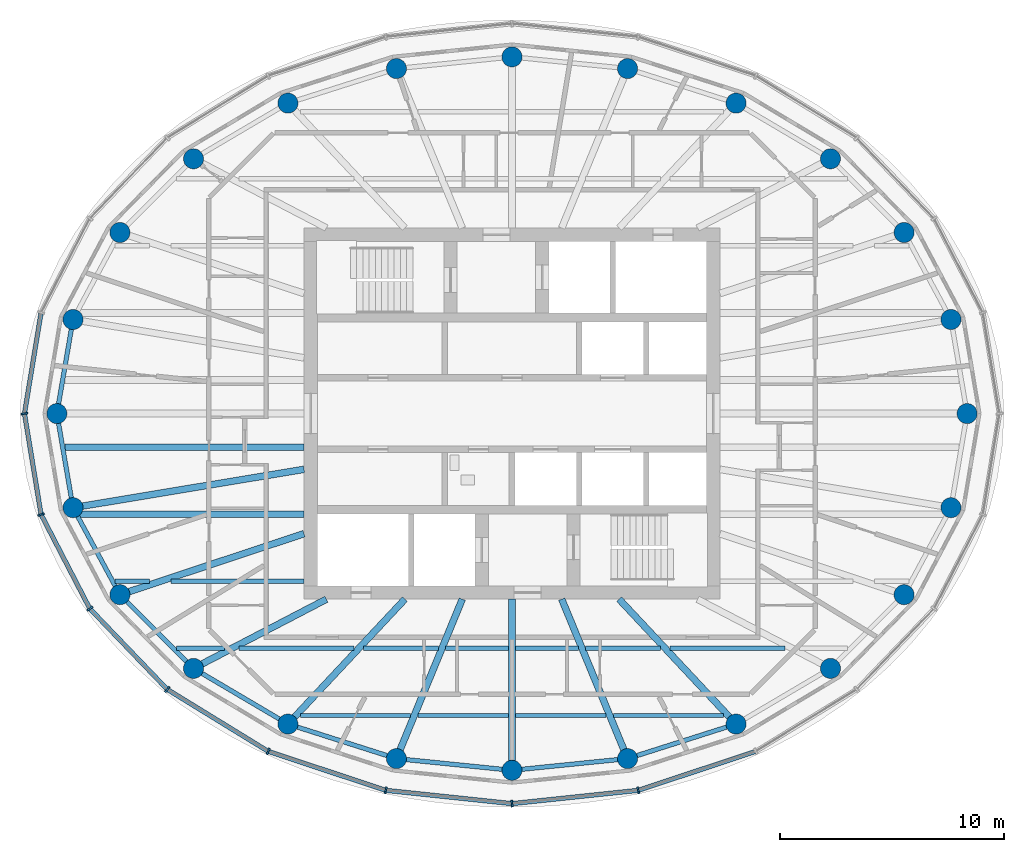
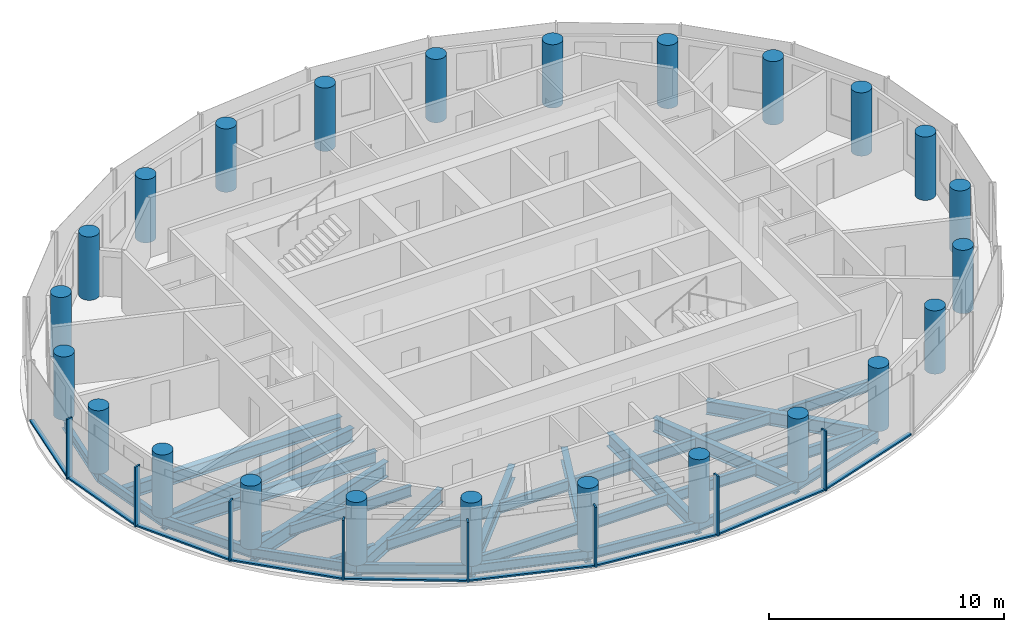
# One storey, part 1 of 12: 32 beams, 24 columns, 17 members, 3 elements without a shape of their own.
"""IFC4 building model written with IfcOpenShell, lengths in metres."""

from ifc_helpers import new_model, si_unit, direction, frame, origin, origin_2d, place, context, subcontext, project, spatial, rectangle, circle, i_section, extrude, material, material_profile, profile_set, type_object, element, aggregate, save


model = new_model("IFC4")

# Units and contexts
model_context = context("Model", 3, precision=1e-05, world=origin(), true_north=direction((0.0, 1.0)))
body_context = subcontext(model_context, "Body", "Model", "MODEL_VIEW")
ifc_project = project(units=[si_unit("LENGTHUNIT", "METRE"), si_unit("AREAUNIT", "SQUARE_METRE"), si_unit("VOLUMEUNIT", "CUBIC_METRE"), si_unit("PLANEANGLEUNIT", "RADIAN"), si_unit("MASSUNIT", "GRAM", prefix="KILO")], contexts=[model_context])

# Site, building, storey
site_placement = place(None, origin())
site = spatial("IfcSite", under=ifc_project, at=site_placement, CompositionType="ELEMENT")
building_placement = place(site_placement, origin())
building = spatial("IfcBuilding", under=site, at=building_placement, Name="Hankou Lantern Tower", CompositionType="ELEMENT")
storey_placement = place(building_placement, frame((0.0, 0.0, 219.300048828125)))
storey = spatial("IfcBuildingStorey", under=building, at=storey_placement, Name="L59", CompositionType="ELEMENT", Elevation=219.300048828125)

# Columns
ifc_material_1 = material(Name="Concrete C50", Category="concrete")
ifc_material_profile_1 = material_profile(ifc_material_1, circle(Radius=0.449951171875, at=origin_2d()), Name="RC D900")
ifc_profile_set_1 = profile_set([ifc_material_profile_1], Name="Concrete C50")
column_type = type_object("IfcColumnType", Name="TC5 PERIMETER COLUMN RC D900", PredefinedType="COLUMN", material=ifc_profile_set_1)
for number, where, z_axis, x_axis, name in (
    (1, (20.35009765625, 0.0, 0.0), (0.0, 0.0, 1.0), (1.0, 0.0, 0.0), "Column R01 L59"),
    (2, (19.629150390625, 4.207763671875, 0.0), (0.0, 0.0, 1.0), (1.0, 0.0, 0.0), "Column R02 L59"),
    (3, (17.5322265625, 8.097900390625, 0.0), (0.0, 0.0, 1.0), (1.0, 0.0, 0.0), "Column R03 L59"),
    (4, (14.241455078125, 11.393310546875, 0.0), (0.0, 0.0, 1.0), (1.0, 0.0, 0.0), "Column R04 L59"),
    (5, (10.01904296875, 13.8828125, 0.0), (0.0, 0.0, 1.0), (1.0, 0.0, 0.0), "Column R05 L59"),
    (6, (5.167236328125, 15.42724609375, 0.0), (0.0, 0.0, 1.0), (1.0, 0.0, 0.0), "Column R06 L59"),
    (7, (0.0, 15.949951171875, 0.0), (0.0, 0.0, 1.0), (1.0, 0.0, 0.0), "Column R07 L59"),
    (8, (-5.167236328125, 15.42724609375, 0.0), (0.0, 0.0, 1.0), (1.0, 0.0, 0.0), "Column R08 L59"),
    (9, (-10.01904296875, 13.8828125, 0.0), (0.0, 0.0, 1.0), (1.0, 0.0, 0.0), "Column R09 L59"),
    (10, (-14.241455078125, 11.393310546875, 0.0), (0.0, 0.0, 1.0), (1.0, 0.0, 0.0), "Column R10 L59"),
    (11, (-17.5322265625, 8.097900390625, 0.0), (0.0, 0.0, 1.0), (1.0, 0.0, 0.0), "Column R11 L59"),
    (12, (-19.629150390625, 4.207763671875, 0.0), (0.0, 0.0, 1.0), (1.0, 0.0, 0.0), "Column R12 L59"),
    (13, (-20.35009765625, 0.0, 0.0), (0.0, 0.0, 1.0), (1.0, 0.0, 0.0), "Column R13 L59"),
    (14, (-19.629150390625, -4.207763671875, 0.0), (0.0, 0.0, 1.0), (1.0, 0.0, 0.0), "Column R14 L59"),
    (15, (-17.5322265625, -8.097900390625, 0.0), (0.0, 0.0, 1.0), (1.0, 0.0, 0.0), "Column R15 L59"),
    (16, (-14.241455078125, -11.393310546875, 0.0), (0.0, 0.0, 1.0), (1.0, 0.0, 0.0), "Column R16 L59"),
    (17, (-10.01904296875, -13.8828125, 0.0), (0.0, 0.0, 1.0), (1.0, 0.0, 0.0), "Column R17 L59"),
    (18, (-5.167236328125, -15.42724609375, 0.0), (0.0, 0.0, 1.0), (1.0, 0.0, 0.0), "Column R18 L59"),
    (19, (0.0, -15.949951171875, 0.0), (0.0, 0.0, 1.0), (1.0, 0.0, 0.0), "Column R19 L59"),
    (20, (5.167236328125, -15.42724609375, 0.0), (0.0, 0.0, 1.0), (1.0, 0.0, 0.0), "Column R20 L59"),
    (21, (10.01904296875, -13.8828125, 0.0), (0.0, 0.0, 1.0), (1.0, 0.0, 0.0), "Column R21 L59"),
    (22, (14.241455078125, -11.393310546875, 0.0), (0.0, 0.0, 1.0), (1.0, 0.0, 0.0), "Column R22 L59"),
    (23, (17.5322265625, -8.097900390625, 0.0), (0.0, 0.0, 1.0), (1.0, 0.0, 0.0), "Column R23 L59"),
    (24, (19.629150390625, -4.207763671875, 0.0), (0.0, 0.0, 1.0), (1.0, 0.0, 0.0), "Column R24 L59"),
):
    element("IfcColumn", number, at=place(storey_placement, frame(where, z_axis=z_axis, x_axis=x_axis)), inside=storey, type_object=column_type, Name=name, PredefinedType="COLUMN", context=body_context, shape_type="SweptSolid", body=[
        extrude(circle(Radius=0.449951171875, at=origin_2d()), origin(), (0.0, 0.0, 1.0), 3.300048828125),
    ])

# Beams
ifc_material_2 = material(Name="Steel Q355B", Category="steel")
ifc_material_profile_2 = material_profile(ifc_material_2, i_section(OverallWidth=0.199951171875, OverallDepth=0.5, WebThickness=0.010009765625, FlangeThickness=0.01611328125, FilletRadius=0.012939453125, at=origin_2d()), Name="HN500x200x10x16")
ifc_profile_set_2 = profile_set([ifc_material_profile_2], Name="Steel Q355B")
beam_type_1 = type_object("IfcBeamType", Name="EB5 RING BEAM HN500x200x10x16", PredefinedType="SPANDREL", material=ifc_profile_set_2)
for number, where, z_axis, x_axis, name in (
    (25, (-19.629150390625, 4.207763671875, -0.429931640625), (-0.168876512999, -0.98563721691, 0.0), (0.98563721691, -0.168876512999, 0.0), "Ring beam R12-R13 L59"),
    (26, (-20.35009765625, 0.0, -0.429931640625), (0.168876512999, -0.98563721691, 0.0), (0.98563721691, 0.168876512999, 0.0), "Ring beam R13-R14 L59"),
):
    element("IfcBeam", number, at=place(storey_placement, frame(where, z_axis=z_axis, x_axis=x_axis)), inside=storey, type_object=beam_type_1, Name=name, PredefinedType="SPANDREL", context=body_context, shape_type="SweptSolid", body=[
        extrude(i_section(OverallWidth=0.199951171875, OverallDepth=0.5, WebThickness=0.010009765625, FlangeThickness=0.01611328125, FilletRadius=0.012939453125, at=origin_2d()), origin(), (0.0, 0.0, 1.0), 4.26904296875),
    ])
beam_1_placement = place(storey_placement, frame((-19.629150390625, -4.207763671875, -0.429931640625), z_axis=(0.474491806611, -0.880259919262, 0.0), x_axis=(0.880259919262, 0.474491806611, 0.0)))
element("IfcBeam", 27, at=beam_1_placement, inside=storey, type_object=beam_type_1, Name="Ring beam R14-R15 L59", PredefinedType="SPANDREL", context=body_context, shape_type="SweptSolid", body=[
    extrude(i_section(OverallWidth=0.199951171875, OverallDepth=0.5, WebThickness=0.010009765625, FlangeThickness=0.01611328125, FilletRadius=0.012939453125, at=origin_2d()), origin(), (0.0, 0.0, 1.0), 4.419189453125),
])
beam_2_placement = place(storey_placement, frame((-17.5322265625, -8.097900390625, -0.429931640625), z_axis=(0.706608588034, -0.707604623583, 0.0), x_axis=(0.707604623583, 0.706608588034, 0.0)))
element("IfcBeam", 28, at=beam_2_placement, inside=storey, type_object=beam_type_1, Name="Ring beam R15-R16 L59", PredefinedType="SPANDREL", context=body_context, shape_type="SweptSolid", body=[
    extrude(i_section(OverallWidth=0.199951171875, OverallDepth=0.5, WebThickness=0.010009765625, FlangeThickness=0.01611328125, FilletRadius=0.012939453125, at=origin_2d()), origin(), (0.0, 0.0, 1.0), 4.6572265625),
])
beam_3_placement = place(storey_placement, frame((-14.241455078125, -11.393310546875, -0.429931640625), z_axis=(0.861422897323, -0.507888365655, 0.0), x_axis=(0.507888365655, 0.861422897323, 0.0)))
element("IfcBeam", 29, at=beam_3_placement, inside=storey, type_object=beam_type_1, Name="Ring beam R16-R17 L59", PredefinedType="SPANDREL", context=body_context, shape_type="SweptSolid", body=[
    extrude(i_section(OverallWidth=0.199951171875, OverallDepth=0.5, WebThickness=0.010009765625, FlangeThickness=0.01611328125, FilletRadius=0.012939453125, at=origin_2d()), origin(), (0.0, 0.0, 1.0), 4.901611328125),
])
beam_4_placement = place(storey_placement, frame((-10.01904296875, -13.8828125, -0.429931640625), z_axis=(0.952887359315, -0.303324381574, 0.0), x_axis=(0.303324381574, 0.952887359315, 0.0)))
element("IfcBeam", 30, at=beam_4_placement, inside=storey, type_object=beam_type_1, Name="Ring beam R17-R18 L59", PredefinedType="SPANDREL", context=body_context, shape_type="SweptSolid", body=[
    extrude(i_section(OverallWidth=0.199951171875, OverallDepth=0.5, WebThickness=0.010009765625, FlangeThickness=0.01611328125, FilletRadius=0.012939453125, at=origin_2d()), origin(), (0.0, 0.0, 1.0), 5.091796875),
])
for number, where, z_axis, x_axis, name in (
    (31, (-5.167236328125, -15.42724609375, -0.429931640625), (0.994922507736, -0.100643944676, 0.0), (0.100643944676, 0.994922507736, 0.0), "Ring beam R18-R19 L59"),
    (32, (0.0, -15.949951171875, -0.429931640625), (0.994922507736, 0.100643944676, 0.0), (-0.100643944676, 0.994922507736, 0.0), "Ring beam R19-R20 L59"),
):
    element("IfcBeam", number, at=place(storey_placement, frame(where, z_axis=z_axis, x_axis=x_axis)), inside=storey, type_object=beam_type_1, Name=name, PredefinedType="SPANDREL", context=body_context, shape_type="SweptSolid", body=[
        extrude(i_section(OverallWidth=0.199951171875, OverallDepth=0.5, WebThickness=0.010009765625, FlangeThickness=0.01611328125, FilletRadius=0.012939453125, at=origin_2d()), origin(), (0.0, 0.0, 1.0), 5.193603515625),
    ])
beam_5_placement = place(storey_placement, frame((5.167236328125, -15.42724609375, -0.429931640625), z_axis=(0.952887359315, 0.303324381574, 0.0), x_axis=(-0.303324381574, 0.952887359315, 0.0)))
element("IfcBeam", 33, at=beam_5_placement, inside=storey, type_object=beam_type_1, Name="Ring beam R20-R21 L59", PredefinedType="SPANDREL", context=body_context, shape_type="SweptSolid", body=[
    extrude(i_section(OverallWidth=0.199951171875, OverallDepth=0.5, WebThickness=0.010009765625, FlangeThickness=0.01611328125, FilletRadius=0.012939453125, at=origin_2d()), origin(), (0.0, 0.0, 1.0), 5.091796875),
])

# Curtain wall, members
ifc_material_3 = material(Name="Glass, dark grey tinted laminated", Category="glass")
curtain_wall_type = type_object("IfcCurtainWallType", Name="CWD OUTER SKIN SUITE", PredefinedType="USERDEFINED", material=ifc_material_3)
curtain_wall_1_placement = place(storey_placement, origin())
curtain_wall_1 = element("IfcCurtainWall", 34, at=curtain_wall_1_placement, inside=storey, type_object=curtain_wall_type, Name="CWD L59 OS3", ObjectType="OUTER SKIN SUITE", PredefinedType="USERDEFINED")
ifc_material_4 = material(Name="Aluminium, black anodised", Category="aluminium")
ifc_material_profile_3 = material_profile(ifc_material_4, rectangle(XDim=0.080078125, YDim=0.300048828125, at=origin_2d()), Name="MU1 80X300")
ifc_profile_set_3 = profile_set([ifc_material_profile_3], Name="Aluminium, black anodised")
member_type_1 = type_object("IfcMemberType", Name="MU1 OUTER SKIN MULLION 80X300", PredefinedType="MULLION", material=ifc_profile_set_3)
member_1_placement = place(storey_placement, frame((-21.800048828125, 0.0, 0.0), z_axis=(0.0, 0.0, 1.0), x_axis=(0.162381515188, -0.986728049427, 0.0)))
member_1 = element("IfcMember", 35, at=member_1_placement, type_object=member_type_1, Name="CWD mullion 1", PredefinedType="MULLION", context=body_context, shape_type="SweptSolid", body=[
    extrude(rectangle(XDim=0.080078125, YDim=0.300048828125, at=origin_2d()), origin(), (0.0, 0.0, 1.0), 3.119873046875),
])
member_2_placement = place(storey_placement, frame((-21.05712890625, -4.513916015625, 0.0), z_axis=(0.0, 0.0, 1.0), x_axis=(0.317595577365, -0.94822626479, 0.0)))
member_2 = element("IfcMember", 36, at=member_2_placement, type_object=member_type_1, Name="CWD mullion 2", PredefinedType="MULLION", context=body_context, shape_type="SweptSolid", body=[
    extrude(rectangle(XDim=0.080078125, YDim=0.300048828125, at=origin_2d()), origin(), (0.0, 0.0, 1.0), 3.119873046875),
])
member_3_placement = place(storey_placement, frame((-18.87939453125, -8.719970703125, 0.0), z_axis=(0.0, 0.0, 1.0), x_axis=(0.585205735974, -0.810884854084, 0.0)))
member_3 = element("IfcMember", 37, at=member_3_placement, type_object=member_type_1, Name="CWD mullion 3", PredefinedType="MULLION", context=body_context, shape_type="SweptSolid", body=[
    extrude(rectangle(XDim=0.080078125, YDim=0.300048828125, at=origin_2d()), origin(), (0.0, 0.0, 1.0), 3.119873046875),
])
member_4_placement = place(storey_placement, frame((-15.4150390625, -12.33203125, 0.0), z_axis=(0.0, 0.0, 1.0), x_axis=(0.780868809444, -0.624695047553, 0.0)))
member_4 = element("IfcMember", 38, at=member_4_placement, type_object=member_type_1, Name="CWD mullion 4", PredefinedType="MULLION", context=body_context, shape_type="SweptSolid", body=[
    extrude(rectangle(XDim=0.080078125, YDim=0.300048828125, at=origin_2d()), origin(), (0.0, 0.0, 1.0), 3.119873046875),
])
member_5_placement = place(storey_placement, frame((-10.89990234375, -15.103515625, 0.0), z_axis=(0.0, 0.0, 1.0), x_axis=(0.907841299004, -0.419313934686, 0.0)))
member_5 = element("IfcMember", 39, at=member_5_placement, type_object=member_type_1, Name="CWD mullion 5", PredefinedType="MULLION", context=body_context, shape_type="SweptSolid", body=[
    extrude(rectangle(XDim=0.080078125, YDim=0.300048828125, at=origin_2d()), origin(), (0.0, 0.0, 1.0), 3.119873046875),
])
member_6_placement = place(storey_placement, frame((-5.642333984375, -16.845703125, 0.0), z_axis=(0.0, 0.0, 1.0), x_axis=(0.977787659625, -0.209597931016, 0.0)))
member_6 = element("IfcMember", 40, at=member_6_placement, type_object=member_type_1, Name="CWD mullion 6", PredefinedType="MULLION", context=body_context, shape_type="SweptSolid", body=[
    extrude(rectangle(XDim=0.080078125, YDim=0.300048828125, at=origin_2d()), origin(), (0.0, 0.0, 1.0), 3.119873046875),
])

curtain_wall_2_placement = place(storey_placement, origin())
curtain_wall_2 = element("IfcCurtainWall", 41, at=curtain_wall_2_placement, inside=storey, type_object=curtain_wall_type, Name="CWD L59 OS4", ObjectType="OUTER SKIN SUITE", PredefinedType="USERDEFINED")
member_7_placement = place(storey_placement, frame((0.0, -17.43994140625, 0.0), z_axis=(0.0, 0.0, 1.0), x_axis=(0.994499359107, 0.104742659579, 0.0)))
member_7 = element("IfcMember", 42, at=member_7_placement, type_object=member_type_1, Name="CWD mullion 1", PredefinedType="MULLION", context=body_context, shape_type="SweptSolid", body=[
    extrude(rectangle(XDim=0.080078125, YDim=0.300048828125, at=origin_2d()), origin(), (0.0, 0.0, 1.0), 3.119873046875),
])
member_8_placement = place(storey_placement, frame((5.642333984375, -16.845703125, 0.0), z_axis=(0.0, 0.0, 1.0), x_axis=(0.977787659625, 0.209597931016, 0.0)))
member_8 = element("IfcMember", 43, at=member_8_placement, type_object=member_type_1, Name="CWD mullion 2", PredefinedType="MULLION", context=body_context, shape_type="SweptSolid", body=[
    extrude(rectangle(XDim=0.080078125, YDim=0.300048828125, at=origin_2d()), origin(), (0.0, 0.0, 1.0), 3.119873046875),
])

# Beams
ifc_material_5 = material(Name="Steel Q355B", Category="steel")
ifc_material_profile_4 = material_profile(ifc_material_5, i_section(OverallWidth=0.300048828125, OverallDepth=0.800048828125, WebThickness=0.013916015625, FlangeThickness=0.02587890625, FilletRadius=0.01806640625, at=origin_2d()), Name="HN800x300x14x26")
ifc_profile_set_4 = profile_set([ifc_material_profile_4], Name="Steel Q355B")
beam_type_2 = type_object("IfcBeamType", Name="RB11 RADIAL BEAM HN800x300x14x26", PredefinedType="BEAM", material=ifc_profile_set_4)
beam_6_placement = place(storey_placement, frame((-9.300048828125, -5.369384765625, -0.580078125), z_axis=(-0.949219608576, -0.314614263337, 0.0), x_axis=(0.314614263337, -0.949219608576, 0.0)))
element("IfcBeam", 44, at=beam_6_placement, inside=storey, type_object=beam_type_2, Name="Radial beam R15 L59", PredefinedType="BEAM", context=body_context, shape_type="SweptSolid", body=[
    extrude(i_section(OverallWidth=0.300048828125, OverallDepth=0.800048828125, WebThickness=0.013916015625, FlangeThickness=0.02587890625, FilletRadius=0.01806640625, at=origin_2d()), origin(), (0.0, 0.0, 1.0), 8.672607421875),
])
ifc_material_6 = material(Name="Steel Q355B", Category="steel")
ifc_material_profile_5 = material_profile(ifc_material_6, i_section(OverallWidth=0.300048828125, OverallDepth=0.699951171875, WebThickness=0.012939453125, FlangeThickness=0.02392578125, FilletRadius=0.01806640625, at=origin_2d()), Name="HN700x300x13x24")
ifc_profile_set_5 = profile_set([ifc_material_profile_5], Name="Steel Q355B")
beam_type_3 = type_object("IfcBeamType", Name="RB9 RADIAL BEAM HN700x300x13x24", PredefinedType="BEAM", material=ifc_profile_set_5)
beam_7_placement = place(storey_placement, frame((-9.300048828125, -2.491943359375, -0.530029296875), z_axis=(-0.986482007061, -0.163869612027, 0.0), x_axis=(0.163869612027, -0.986482007061, 0.0)))
element("IfcBeam", 45, at=beam_7_placement, inside=storey, type_object=beam_type_3, Name="Radial beam R14 L59", PredefinedType="BEAM", context=body_context, shape_type="SweptSolid", body=[
    extrude(i_section(OverallWidth=0.300048828125, OverallDepth=0.699951171875, WebThickness=0.012939453125, FlangeThickness=0.02392578125, FilletRadius=0.01806640625, at=origin_2d()), origin(), (0.0, 0.0, 1.0), 10.470703125),
])
beam_8_placement = place(storey_placement, frame((-8.300048828125, -8.300048828125, -0.530029296875), z_axis=(-0.886988734783, -0.461791061378, 0.0), x_axis=(0.461791061378, -0.886988734783, 0.0)))
element("IfcBeam", 46, at=beam_8_placement, inside=storey, type_object=beam_type_3, Name="Radial beam R16 L59", PredefinedType="BEAM", context=body_context, shape_type="SweptSolid", body=[
    extrude(i_section(OverallWidth=0.300048828125, OverallDepth=0.699951171875, WebThickness=0.012939453125, FlangeThickness=0.02392578125, FilletRadius=0.01806640625, at=origin_2d()), origin(), (0.0, 0.0, 1.0), 6.698486328125),
])
beam_9_placement = place(storey_placement, frame((-4.7919921875, -8.300048828125, -0.530029296875), z_axis=(-0.68346844743, -0.729980055459, 0.0), x_axis=(0.729980055459, -0.68346844743, 0.0)))
element("IfcBeam", 47, at=beam_9_placement, inside=storey, type_object=beam_type_3, Name="Radial beam R17 L59", PredefinedType="BEAM", context=body_context, shape_type="SweptSolid", body=[
    extrude(i_section(OverallWidth=0.300048828125, OverallDepth=0.699951171875, WebThickness=0.012939453125, FlangeThickness=0.02392578125, FilletRadius=0.01806640625, at=origin_2d()), origin(), (0.0, 0.0, 1.0), 7.64794921875),
])
beam_10_placement = place(storey_placement, frame((-2.223876953125, -8.300048828125, -0.530029296875), z_axis=(-0.381706648123, -0.924283525104, 0.0), x_axis=(0.924283525104, -0.381706648123, 0.0)))
element("IfcBeam", 48, at=beam_10_placement, inside=storey, type_object=beam_type_3, Name="Radial beam R18 L59", PredefinedType="BEAM", context=body_context, shape_type="SweptSolid", body=[
    extrude(i_section(OverallWidth=0.300048828125, OverallDepth=0.699951171875, WebThickness=0.012939453125, FlangeThickness=0.02392578125, FilletRadius=0.01806640625, at=origin_2d()), origin(), (0.0, 0.0, 1.0), 7.7109375),
])
beam_11_placement = place(storey_placement, frame((0.0, -8.300048828125, -0.530029296875), z_axis=(0.0, -1.0, 0.0), x_axis=(1.0, 0.0, 0.0)))
element("IfcBeam", 49, at=beam_11_placement, inside=storey, type_object=beam_type_3, Name="Radial beam R19 L59", PredefinedType="BEAM", context=body_context, shape_type="SweptSolid", body=[
    extrude(i_section(OverallWidth=0.300048828125, OverallDepth=0.699951171875, WebThickness=0.012939453125, FlangeThickness=0.02392578125, FilletRadius=0.01806640625, at=origin_2d()), origin(), (0.0, 0.0, 1.0), 7.64990234375),
])
beam_12_placement = place(storey_placement, frame((2.223876953125, -8.300048828125, -0.530029296875), z_axis=(0.381706648123, -0.924283525104, 0.0), x_axis=(0.924283525104, 0.381706648123, 0.0)))
element("IfcBeam", 50, at=beam_12_placement, inside=storey, type_object=beam_type_3, Name="Radial beam R20 L59", PredefinedType="BEAM", context=body_context, shape_type="SweptSolid", body=[
    extrude(i_section(OverallWidth=0.300048828125, OverallDepth=0.699951171875, WebThickness=0.012939453125, FlangeThickness=0.02392578125, FilletRadius=0.01806640625, at=origin_2d()), origin(), (0.0, 0.0, 1.0), 7.7109375),
])
beam_13_placement = place(storey_placement, frame((4.7919921875, -8.300048828125, -0.530029296875), z_axis=(0.68346844743, -0.729980055459, 0.0), x_axis=(0.729980055459, 0.68346844743, 0.0)))
element("IfcBeam", 51, at=beam_13_placement, inside=storey, type_object=beam_type_3, Name="Radial beam R21 L59", PredefinedType="BEAM", context=body_context, shape_type="SweptSolid", body=[
    extrude(i_section(OverallWidth=0.300048828125, OverallDepth=0.699951171875, WebThickness=0.012939453125, FlangeThickness=0.02392578125, FilletRadius=0.01806640625, at=origin_2d()), origin(), (0.0, 0.0, 1.0), 7.64794921875),
])
ifc_material_7 = material(Name="Steel Q355B", Category="steel")
ifc_material_profile_6 = material_profile(ifc_material_7, i_section(OverallWidth=0.199951171875, OverallDepth=0.550048828125, WebThickness=0.010009765625, FlangeThickness=0.01611328125, FilletRadius=0.012939453125, at=origin_2d()), Name="HN550x200x10x16")
ifc_profile_set_6 = profile_set([ifc_material_profile_6], Name="Steel Q355B")
beam_type_4 = type_object("IfcBeamType", Name="SB6 SECONDARY BEAM HN550x200x10x16", PredefinedType="JOIST", material=ifc_profile_set_6)
beam_14_placement = place(storey_placement, frame((-9.455078125, -13.5, -0.455078125), z_axis=(1.0, 0.0, 0.0), x_axis=(0.0, 1.0, 0.0)))
element("IfcBeam", 52, at=beam_14_placement, inside=storey, type_object=beam_type_4, Name="Floor joist J001 L59", PredefinedType="JOIST", context=body_context, shape_type="SweptSolid", body=[
    extrude(i_section(OverallWidth=0.199951171875, OverallDepth=0.550048828125, WebThickness=0.010009765625, FlangeThickness=0.01611328125, FilletRadius=0.012939453125, at=origin_2d()), origin(), (0.0, 0.0, 1.0), 4.92138671875),
])
for number, where, z_axis, x_axis, name in (
    (53, (-4.208984375, -13.5, -0.455078125), (1.0, 0.0, 0.0), (0.0, 1.0, 0.0), "Floor joist J002 L59"),
    (54, (0.14990234375, -13.5, -0.455078125), (1.0, 0.0, 0.0), (0.0, 1.0, 0.0), "Floor joist J003 L59"),
):
    element("IfcBeam", number, at=place(storey_placement, frame(where, z_axis=z_axis, x_axis=x_axis)), inside=storey, type_object=beam_type_4, Name=name, PredefinedType="JOIST", context=body_context, shape_type="SweptSolid", body=[
        extrude(i_section(OverallWidth=0.199951171875, OverallDepth=0.550048828125, WebThickness=0.010009765625, FlangeThickness=0.01611328125, FilletRadius=0.012939453125, at=origin_2d()), origin(), (0.0, 0.0, 1.0), 4.05908203125),
    ])
beam_15_placement = place(storey_placement, frame((4.53369140625, -13.5, -0.455078125), z_axis=(1.0, 0.0, 0.0), x_axis=(0.0, 1.0, 0.0)))
element("IfcBeam", 55, at=beam_15_placement, inside=storey, type_object=beam_type_4, Name="Floor joist J004 L59", PredefinedType="JOIST", context=body_context, shape_type="SweptSolid", body=[
    extrude(i_section(OverallWidth=0.199951171875, OverallDepth=0.550048828125, WebThickness=0.010009765625, FlangeThickness=0.01611328125, FilletRadius=0.012939453125, at=origin_2d()), origin(), (0.0, 0.0, 1.0), 4.92138671875),
])
beam_16_placement = place(storey_placement, frame((-14.9921875, -10.5, -0.455078125), z_axis=(1.0, 0.0, 0.0), x_axis=(0.0, 1.0, 0.0)))
element("IfcBeam", 56, at=beam_16_placement, inside=storey, type_object=beam_type_4, Name="Floor joist J005 L59", PredefinedType="JOIST", context=body_context, shape_type="SweptSolid", body=[
    extrude(i_section(OverallWidth=0.199951171875, OverallDepth=0.550048828125, WebThickness=0.010009765625, FlangeThickness=0.01611328125, FilletRadius=0.012939453125, at=origin_2d()), origin(), (0.0, 0.0, 1.0), 2.1416015625),
])
beam_17_placement = place(storey_placement, frame((-12.200927734375, -10.5, -0.455078125), z_axis=(1.0, 0.0, 0.0), x_axis=(0.0, 1.0, 0.0)))
element("IfcBeam", 57, at=beam_17_placement, inside=storey, type_object=beam_type_4, Name="Floor joist J006 L59", PredefinedType="JOIST", context=body_context, shape_type="SweptSolid", body=[
    extrude(i_section(OverallWidth=0.199951171875, OverallDepth=0.550048828125, WebThickness=0.010009765625, FlangeThickness=0.01611328125, FilletRadius=0.012939453125, at=origin_2d()), origin(), (0.0, 0.0, 1.0), 5.1435546875),
])
beam_18_placement = place(storey_placement, frame((-6.646240234375, -10.5, -0.455078125), z_axis=(1.0, 0.0, 0.0), x_axis=(0.0, 1.0, 0.0)))
element("IfcBeam", 58, at=beam_18_placement, inside=storey, type_object=beam_type_4, Name="Floor joist J007 L59", PredefinedType="JOIST", context=body_context, shape_type="SweptSolid", body=[
    extrude(i_section(OverallWidth=0.199951171875, OverallDepth=0.550048828125, WebThickness=0.010009765625, FlangeThickness=0.01611328125, FilletRadius=0.012939453125, at=origin_2d()), origin(), (0.0, 0.0, 1.0), 3.3515625),
])
for number, where, z_axis, x_axis, name in (
    (59, (-2.97021484375, -10.5, -0.455078125), (1.0, 0.0, 0.0), (0.0, 1.0, 0.0), "Floor joist J008 L59"),
    (60, (0.14990234375, -10.5, -0.455078125), (1.0, 0.0, 0.0), (0.0, 1.0, 0.0), "Floor joist J009 L59"),
):
    element("IfcBeam", number, at=place(storey_placement, frame(where, z_axis=z_axis, x_axis=x_axis)), inside=storey, type_object=beam_type_4, Name=name, PredefinedType="JOIST", context=body_context, shape_type="SweptSolid", body=[
        extrude(i_section(OverallWidth=0.199951171875, OverallDepth=0.550048828125, WebThickness=0.010009765625, FlangeThickness=0.01611328125, FilletRadius=0.012939453125, at=origin_2d()), origin(), (0.0, 0.0, 1.0), 2.8203125),
    ])
beam_19_placement = place(storey_placement, frame((3.294677734375, -10.5, -0.455078125), z_axis=(1.0, 0.0, 0.0), x_axis=(0.0, 1.0, 0.0)))
element("IfcBeam", 61, at=beam_19_placement, inside=storey, type_object=beam_type_4, Name="Floor joist J010 L59", PredefinedType="JOIST", context=body_context, shape_type="SweptSolid", body=[
    extrude(i_section(OverallWidth=0.199951171875, OverallDepth=0.550048828125, WebThickness=0.010009765625, FlangeThickness=0.01611328125, FilletRadius=0.012939453125, at=origin_2d()), origin(), (0.0, 0.0, 1.0), 3.3515625),
])
beam_20_placement = place(storey_placement, frame((7.057373046875, -10.5, -0.455078125), z_axis=(1.0, 0.0, 0.0), x_axis=(0.0, 1.0, 0.0)))
element("IfcBeam", 62, at=beam_20_placement, inside=storey, type_object=beam_type_4, Name="Floor joist J011 L59", PredefinedType="JOIST", context=body_context, shape_type="SweptSolid", body=[
    extrude(i_section(OverallWidth=0.199951171875, OverallDepth=0.550048828125, WebThickness=0.010009765625, FlangeThickness=0.01611328125, FilletRadius=0.012939453125, at=origin_2d()), origin(), (0.0, 0.0, 1.0), 5.1435546875),
])
beam_21_placement = place(storey_placement, frame((-17.740966796875, -7.5, -0.455078125), z_axis=(1.0, 0.0, 0.0), x_axis=(0.0, 1.0, 0.0)))
element("IfcBeam", 63, at=beam_21_placement, inside=storey, type_object=beam_type_4, Name="Floor joist J013 L59", PredefinedType="JOIST", context=body_context, shape_type="SweptSolid", body=[
    extrude(i_section(OverallWidth=0.199951171875, OverallDepth=0.550048828125, WebThickness=0.010009765625, FlangeThickness=0.01611328125, FilletRadius=0.012939453125, at=origin_2d()), origin(), (0.0, 0.0, 1.0), 1.53564453125),
])
beam_22_placement = place(storey_placement, frame((-15.251708984375, -7.5, -0.455078125), z_axis=(1.0, 0.0, 0.0), x_axis=(0.0, 1.0, 0.0)))
element("IfcBeam", 64, at=beam_22_placement, inside=storey, type_object=beam_type_4, Name="Floor joist J014 L59", PredefinedType="JOIST", context=body_context, shape_type="SweptSolid", body=[
    extrude(i_section(OverallWidth=0.199951171875, OverallDepth=0.550048828125, WebThickness=0.010009765625, FlangeThickness=0.01611328125, FilletRadius=0.012939453125, at=origin_2d()), origin(), (0.0, 0.0, 1.0), 5.95166015625),
])
ifc_material_8 = material(Name="Steel Q355B", Category="steel")
ifc_material_profile_7 = material_profile(ifc_material_8, i_section(OverallWidth=0.300048828125, OverallDepth=0.64990234375, WebThickness=0.010986328125, FlangeThickness=0.01708984375, FilletRadius=0.01806640625, at=origin_2d()), Name="HN650x300x11x17")
ifc_profile_set_7 = profile_set([ifc_material_profile_7], Name="Steel Q355B")
beam_type_5 = type_object("IfcBeamType", Name="SB8 SECONDARY BEAM HN650x300x11x17", PredefinedType="JOIST", material=ifc_profile_set_7)
beam_23_placement = place(storey_placement, frame((-19.35791015625, -4.5, -0.505126953125), z_axis=(1.0, 0.0, 0.0), x_axis=(0.0, 1.0, 0.0)))
element("IfcBeam", 65, at=beam_23_placement, inside=storey, type_object=beam_type_5, Name="Floor joist J017 L59", PredefinedType="JOIST", context=body_context, shape_type="SweptSolid", body=[
    extrude(i_section(OverallWidth=0.300048828125, OverallDepth=0.64990234375, WebThickness=0.010986328125, FlangeThickness=0.01708984375, FilletRadius=0.01806640625, at=origin_2d()), origin(), (0.0, 0.0, 1.0), 10.057861328125),
])
beam_24_placement = place(storey_placement, frame((-19.991455078125, -1.5, -0.505126953125), z_axis=(1.0, 0.0, 0.0), x_axis=(0.0, 1.0, 0.0)))
element("IfcBeam", 66, at=beam_24_placement, inside=storey, type_object=beam_type_5, Name="Floor joist J019 L59", PredefinedType="JOIST", context=body_context, shape_type="SweptSolid", body=[
    extrude(i_section(OverallWidth=0.300048828125, OverallDepth=0.64990234375, WebThickness=0.010986328125, FlangeThickness=0.01708984375, FilletRadius=0.01806640625, at=origin_2d()), origin(), (0.0, 0.0, 1.0), 10.69140625),
])

# Curtain wall, member
curtain_wall_3_placement = place(storey_placement, origin())
curtain_wall_3 = element("IfcCurtainWall", 67, at=curtain_wall_3_placement, inside=storey, type_object=curtain_wall_type, Name="CWD L59 OS2", ObjectType="OUTER SKIN SUITE", PredefinedType="USERDEFINED")
ifc_material_9 = material(Name="Aluminium, black anodised", Category="aluminium")
ifc_material_profile_8 = material_profile(ifc_material_9, rectangle(XDim=0.199951171875, YDim=0.080078125, at=origin_2d()), Name="TR1 200X80")
ifc_profile_set_8 = profile_set([ifc_material_profile_8], Name="Aluminium, black anodised")
member_type_2 = type_object("IfcMemberType", Name="TR1 OUTER SKIN TRANSOM 200X80", PredefinedType="USERDEFINED", material=ifc_profile_set_8)
member_9_placement = place(storey_placement, frame((-21.063720703125, 4.474365234375, 0.0400390625), z_axis=(-0.162363822839, -0.986730960816, 0.0), x_axis=(0.986730960816, -0.162363822839, 0.0)))
member_9 = element("IfcMember", 68, at=member_9_placement, type_object=member_type_2, Name="CWD transom 6", ObjectType="TRANSOM", PredefinedType="USERDEFINED", context=body_context, shape_type="SweptSolid", body=[
    extrude(rectangle(XDim=0.199951171875, YDim=0.080078125, at=origin_2d()), origin(), (0.0, 0.0, 1.0), 4.494384765625),
])
aggregate(curtain_wall_3, [member_9])

# Member
member_10_placement = place(storey_placement, frame((-21.79345703125, -0.03955078125, 0.0400390625), z_axis=(0.162363822839, -0.986730960816, 0.0), x_axis=(0.986730960816, 0.162363822839, 0.0)))
member_10 = element("IfcMember", 69, at=member_10_placement, type_object=member_type_2, Name="CWD transom 1", ObjectType="TRANSOM", PredefinedType="USERDEFINED", context=body_context, shape_type="SweptSolid", body=[
    extrude(rectangle(XDim=0.199951171875, YDim=0.080078125, at=origin_2d()), origin(), (0.0, 0.0, 1.0), 4.494384765625),
])

member_11_placement = place(storey_placement, frame((-21.038818359375, -4.54931640625, 0.0400390625), z_axis=(0.45979371115, -0.888025755925, 0.0), x_axis=(0.888025755925, 0.45979371115, 0.0)))
member_11 = element("IfcMember", 70, at=member_11_placement, type_object=member_type_2, Name="CWD transom 2", ObjectType="TRANSOM", PredefinedType="USERDEFINED", context=body_context, shape_type="SweptSolid", body=[
    extrude(rectangle(XDim=0.199951171875, YDim=0.080078125, at=origin_2d()), origin(), (0.0, 0.0, 1.0), 4.65673828125),
])

member_12_placement = place(storey_placement, frame((-18.8515625, -8.748779296875, 0.0400390625), z_axis=(0.692204633274, -0.721701285626, 0.0), x_axis=(0.721701285626, 0.692204633274, 0.0)))
member_12 = element("IfcMember", 71, at=member_12_placement, type_object=member_type_2, Name="CWD transom 3", ObjectType="TRANSOM", PredefinedType="USERDEFINED", context=body_context, shape_type="SweptSolid", body=[
    extrude(rectangle(XDim=0.199951171875, YDim=0.080078125, at=origin_2d()), origin(), (0.0, 0.0, 1.0), 4.9248046875),
])

member_13_placement = place(storey_placement, frame((-15.380859375, -12.352783203125, 0.0400390625), z_axis=(0.852234544008, -0.523159900986, 0.0), x_axis=(0.523159900986, 0.852234544008, 0.0)))
member_13 = element("IfcMember", 72, at=member_13_placement, type_object=member_type_2, Name="CWD transom 4", ObjectType="TRANSOM", PredefinedType="USERDEFINED", context=body_context, shape_type="SweptSolid", body=[
    extrude(rectangle(XDim=0.199951171875, YDim=0.080078125, at=origin_2d()), origin(), (0.0, 0.0, 1.0), 5.2177734375),
])

member_14_placement = place(storey_placement, frame((-10.862060546875, -15.115966796875, 0.0400390625), z_axis=(0.949231947668, -0.314577032739, 0.0), x_axis=(0.314577032739, 0.949231947668, 0.0)))
member_14 = element("IfcMember", 73, at=member_14_placement, type_object=member_type_2, Name="CWD transom 5", ObjectType="TRANSOM", PredefinedType="USERDEFINED", context=body_context, shape_type="SweptSolid", body=[
    extrude(rectangle(XDim=0.199951171875, YDim=0.080078125, at=origin_2d()), origin(), (0.0, 0.0, 1.0), 5.458984375),
])

member_15_placement = place(storey_placement, frame((-5.6025390625, -16.849853515625, 0.0400390625), z_axis=(0.994498275726, -0.104752945435, 0.0), x_axis=(0.104752945435, 0.994498275726, 0.0)))
member_15 = element("IfcMember", 74, at=member_15_placement, type_object=member_type_2, Name="CWD transom 6", ObjectType="TRANSOM", PredefinedType="USERDEFINED", context=body_context, shape_type="SweptSolid", body=[
    extrude(rectangle(XDim=0.199951171875, YDim=0.080078125, at=origin_2d()), origin(), (0.0, 0.0, 1.0), 5.593505859375),
])

aggregate(curtain_wall_1, [member_1, member_2, member_3, member_4, member_5, member_6, member_10, member_11, member_12, member_13, member_14, member_15])

member_16_placement = place(storey_placement, frame((0.039794921875, -17.435791015625, 0.0400390625), z_axis=(0.994498275726, 0.104752945435, 0.0), x_axis=(-0.104752945435, 0.994498275726, 0.0)))
member_16 = element("IfcMember", 75, at=member_16_placement, type_object=member_type_2, Name="CWD transom 1", ObjectType="TRANSOM", PredefinedType="USERDEFINED", context=body_context, shape_type="SweptSolid", body=[
    extrude(rectangle(XDim=0.199951171875, YDim=0.080078125, at=origin_2d()), origin(), (0.0, 0.0, 1.0), 5.593505859375),
])

member_17_placement = place(storey_placement, frame((5.68017578125, -16.833251953125, 0.0400390625), z_axis=(0.949231947668, 0.314577032739, 0.0), x_axis=(-0.314577032739, 0.949231947668, 0.0)))
member_17 = element("IfcMember", 76, at=member_17_placement, type_object=member_type_2, Name="CWD transom 2", ObjectType="TRANSOM", PredefinedType="USERDEFINED", context=body_context, shape_type="SweptSolid", body=[
    extrude(rectangle(XDim=0.199951171875, YDim=0.080078125, at=origin_2d()), origin(), (0.0, 0.0, 1.0), 5.458984375),
])

aggregate(curtain_wall_2, [member_7, member_8, member_16, member_17])

save(model, "model.ifc")
